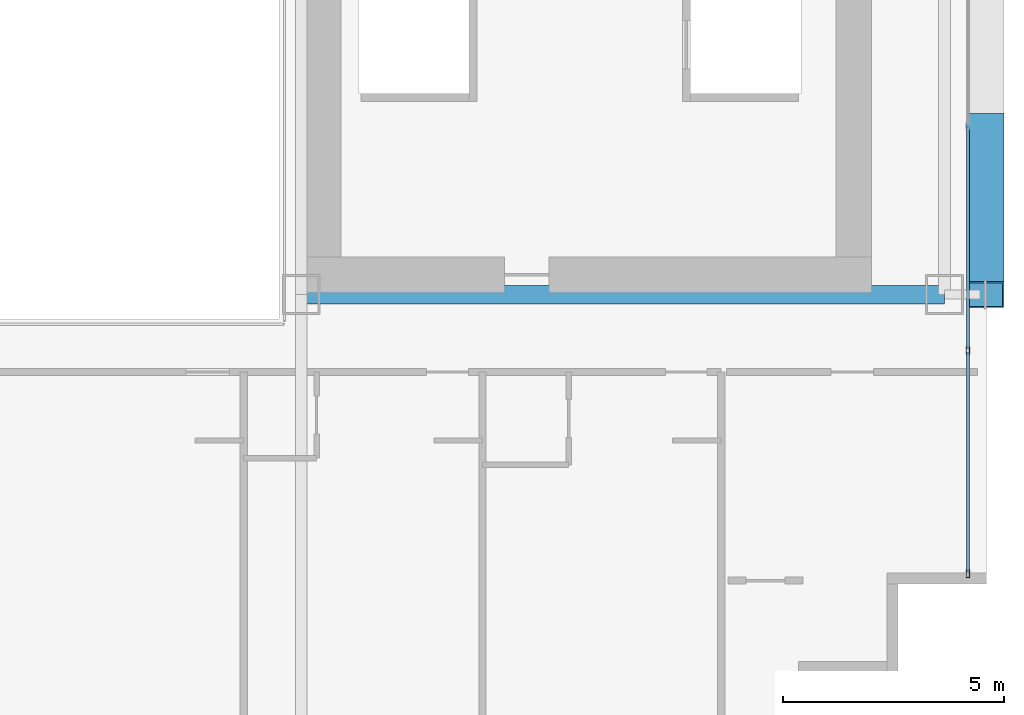
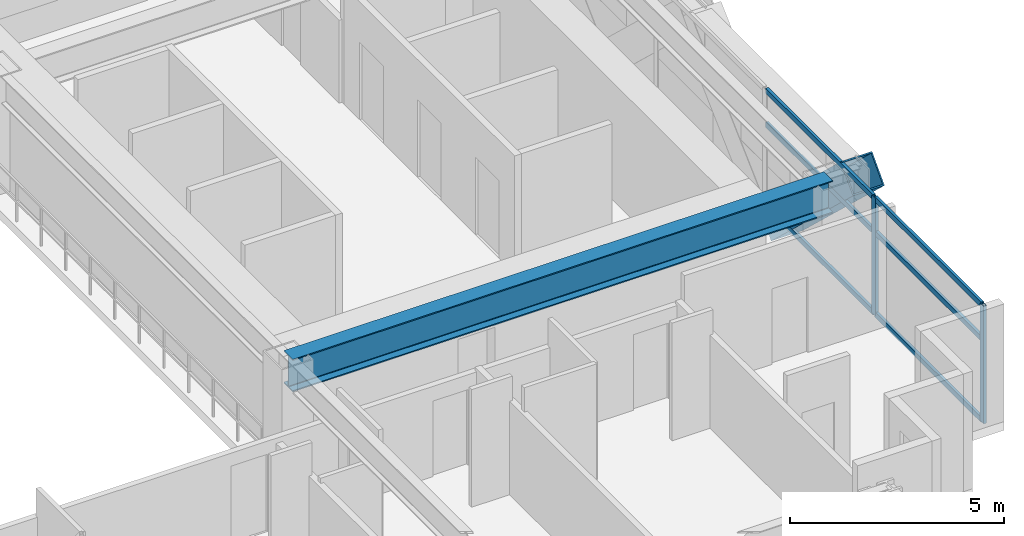
# One storey, part 11 of 38: 9 members, 1 beam, 1 element without a shape of its own.
"""IFC4 building model written with IfcOpenShell, lengths in metres."""

from ifc_helpers import new_model, si_unit, direction, frame, origin, origin_2d, place, context, subcontext, project, spatial, hollow_rectangle, i_section, extrude, source, transform, mapped, material, layer, layer_set, material_profile, profile_set, type_object, element, aggregate, save


model = new_model("IFC4")

# Units and contexts
model_context = context("Model", 3, precision=1e-05, world=origin(), true_north=direction((0.0, 1.0)))
body_context = subcontext(model_context, "Body", "Model", "MODEL_VIEW")
ifc_project = project(units=[si_unit("LENGTHUNIT", "METRE"), si_unit("AREAUNIT", "SQUARE_METRE"), si_unit("VOLUMEUNIT", "CUBIC_METRE"), si_unit("PLANEANGLEUNIT", "RADIAN"), si_unit("MASSUNIT", "GRAM", prefix="KILO")], contexts=[model_context])

# Site, building, storey
site_placement = place(None, origin())
site = spatial("IfcSite", under=ifc_project, at=site_placement, CompositionType="ELEMENT")
building_placement = place(site_placement, origin())
building = spatial("IfcBuilding", under=site, at=building_placement, Name="Ocotamira Hotel", CompositionType="ELEMENT")
storey_placement = place(building_placement, frame((0.0, 0.0, 60.0)))
storey = spatial("IfcBuildingStorey", under=building, at=storey_placement, Name="L14", CompositionType="ELEMENT", Elevation=60.0)

# Beam
ifc_material_1 = material(Name="Steel ASTM A992 Grade 50", Category="steel")
ifc_material_profile_1 = material_profile(ifc_material_1, i_section(OverallWidth=0.41796875, OverallDepth=0.927001953125, WebThickness=0.019287109375, FlangeThickness=0.031982421875, FilletRadius=0.02392578125, at=origin_2d()), Name="W36X231")
ifc_profile_set_1 = profile_set([ifc_material_profile_1], Name="Steel ASTM A992 Grade 50")
beam_type = type_object("IfcBeamType", Name="BM-GIRD-W36X231", PredefinedType="BEAM", material=ifc_profile_set_1)
shared_shape_1 = source(origin(), body_context, "Body", "SweptSolid", [
    extrude(i_section(OverallWidth=0.41796875, OverallDepth=0.927001953125, WebThickness=0.019287109375, FlangeThickness=0.031982421875, FilletRadius=0.02392578125, at=origin_2d()), origin(), (0.0, 0.0, 1.0), 14.550048828125),
])
beam_placement = place(storey_placement, frame((40.5, 14.550048828125, 2.886474609375), z_axis=(1.0, 0.0, 0.0), x_axis=(0.0, 1.0, 0.0)))
element("IfcBeam", 1, at=beam_placement, inside=storey, type_object=beam_type, Name="L14 Girder Y14.55 X40.5-55.05", PredefinedType="BEAM", context=body_context, shape_type="MappedRepresentation", body=[
    mapped(shared_shape_1, transform((0.0, 0.0, 0.0), scale=1.0)),
])

# Member
ifc_material_2 = material(Name="Pale-metal coated steel ASTM A913 Grade 65", Category="steel")
ifc_material_profile_2 = material_profile(ifc_material_2, hollow_rectangle(XDim=0.85009765625, YDim=0.85009765625, WallThickness=0.035888671875, at=origin_2d()), Name="BOX850X850X36")
ifc_profile_set_2 = profile_set([ifc_material_profile_2], Name="Pale-metal coated steel ASTM A913 Grade 65")
member_type_1 = type_object("IfcMemberType", Name="MEM-EXO-BOX850", PredefinedType="BRACE", material=ifc_profile_set_2)
shared_shape_2 = source(origin(), body_context, "Body", "SweptSolid", [
    extrude(hollow_rectangle(XDim=0.85009765625, YDim=0.85009765625, WallThickness=0.035888671875, at=origin_2d()), origin(), (0.0, 0.0, 1.0), 5.24658203125),
])
member_1_placement = place(storey_placement, frame((55.969970703125, 18.36669921875, -0.5), z_axis=(0.0, -0.727442733726, 0.686168397078), x_axis=(1.0, 0.0, 0.0)))
element("IfcMember", 2, at=member_1_placement, inside=storey, type_object=member_type_1, Name="L14 Exoskeleton Diagrid E0.1", PredefinedType="BRACE", context=body_context, shape_type="MappedRepresentation", body=[
    mapped(shared_shape_2, transform((0.0, 0.0, 0.0), scale=1.0)),
])

# Curtain wall, members
ifc_material_3 = material(Name="Anodised pale-metal aluminium and solar glass", Category="aluminium")
ifc_layer = layer(ifc_material_3, 0.179931640625)
ifc_layer_set = layer_set([ifc_layer], Name="Anodised pale-metal aluminium and solar glass")
curtain_wall_type = type_object("IfcCurtainWallType", Name="CW-SYS2-Z1", PredefinedType="NOTDEFINED", material=ifc_layer_set)
curtain_wall_placement = place(storey_placement, origin())
curtain_wall = element("IfcCurtainWall", 3, at=curtain_wall_placement, inside=storey, type_object=curtain_wall_type, Name="L14 Curtain Wall CW-2 CW-L14-E", PredefinedType="NOTDEFINED")
ifc_material_4 = material(Name="Anodised pale-metal aluminium 6063-T6", Category="aluminium")
ifc_material_profile_3 = material_profile(ifc_material_4, hollow_rectangle(XDim=0.074951171875, YDim=0.14990234375, WallThickness=0.006103515625, at=origin_2d()), Name="HSS150X75X6")
ifc_profile_set_3 = profile_set([ifc_material_profile_3], Name="Anodised pale-metal aluminium 6063-T6")
member_type_2 = type_object("IfcMemberType", Name="CWT-150X75", PredefinedType="USERDEFINED", material=ifc_profile_set_3)
shared_shape_3 = source(origin(), body_context, "Body", "SweptSolid", [
    extrude(hollow_rectangle(XDim=0.074951171875, YDim=0.14990234375, WallThickness=0.006103515625, at=origin_2d()), origin(), (0.0, 0.0, 1.0), 4.965576171875),
])
member_2_placement = place(storey_placement, frame((55.580078125, 8.280029296875, 0.03759765625), z_axis=(0.0, 1.0, 0.0), x_axis=(-1.0, 0.0, 0.0)))
member_2 = element("IfcMember", 4, at=member_2_placement, type_object=member_type_2, Name="CW-2 transom 1.1", ObjectType="TRANSOM", PredefinedType="USERDEFINED", context=body_context, shape_type="MappedRepresentation", body=[
    mapped(shared_shape_3, transform((0.0, 0.0, 0.0), scale=1.0)),
])
member_3_placement = place(storey_placement, frame((55.580078125, 8.280029296875, 2.35009765625), z_axis=(0.0, 1.0, 0.0), x_axis=(-1.0, 0.0, 0.0)))
member_3 = element("IfcMember", 5, at=member_3_placement, type_object=member_type_2, Name="CW-2 transom 1.2", ObjectType="TRANSOM", PredefinedType="USERDEFINED", context=body_context, shape_type="MappedRepresentation", body=[
    mapped(shared_shape_3, transform((0.0, 0.0, 0.0), scale=1.0)),
])
member_4_placement = place(storey_placement, frame((55.580078125, 8.280029296875, 3.3125), z_axis=(0.0, 1.0, 0.0), x_axis=(-1.0, 0.0, 0.0)))
member_4 = element("IfcMember", 6, at=member_4_placement, type_object=member_type_2, Name="CW-2 transom 1.3", ObjectType="TRANSOM", PredefinedType="USERDEFINED", context=body_context, shape_type="MappedRepresentation", body=[
    mapped(shared_shape_3, transform((0.0, 0.0, 0.0), scale=1.0)),
])
shared_shape_4 = source(origin(), body_context, "Body", "SweptSolid", [
    extrude(hollow_rectangle(XDim=0.074951171875, YDim=0.14990234375, WallThickness=0.006103515625, at=origin_2d()), origin(), (0.0, 0.0, 1.0), 5.005859375),
])
member_5_placement = place(storey_placement, frame((55.580078125, 13.32568359375, 0.03759765625), z_axis=(0.0, 1.0, 0.0), x_axis=(-1.0, 0.0, 0.0)))
member_5 = element("IfcMember", 7, at=member_5_placement, type_object=member_type_2, Name="CW-2 transom 2.1", ObjectType="TRANSOM", PredefinedType="USERDEFINED", context=body_context, shape_type="MappedRepresentation", body=[
    mapped(shared_shape_4, transform((0.0, 0.0, 0.0), scale=1.0)),
])
member_6_placement = place(storey_placement, frame((55.580078125, 13.32568359375, 2.35009765625), z_axis=(0.0, 1.0, 0.0), x_axis=(-1.0, 0.0, 0.0)))
member_6 = element("IfcMember", 8, at=member_6_placement, type_object=member_type_2, Name="CW-2 transom 2.2", ObjectType="TRANSOM", PredefinedType="USERDEFINED", context=body_context, shape_type="MappedRepresentation", body=[
    mapped(shared_shape_4, transform((0.0, 0.0, 0.0), scale=1.0)),
])
member_7_placement = place(storey_placement, frame((55.580078125, 13.32568359375, 3.3125), z_axis=(0.0, 1.0, 0.0), x_axis=(-1.0, 0.0, 0.0)))
member_7 = element("IfcMember", 9, at=member_7_placement, type_object=member_type_2, Name="CW-2 transom 2.3", ObjectType="TRANSOM", PredefinedType="USERDEFINED", context=body_context, shape_type="MappedRepresentation", body=[
    mapped(shared_shape_4, transform((0.0, 0.0, 0.0), scale=1.0)),
])
ifc_material_profile_4 = material_profile(ifc_material_4, hollow_rectangle(XDim=0.080078125, YDim=0.179931640625, WallThickness=0.006103515625, at=origin_2d()), Name="HSS180X80X6")
ifc_profile_set_4 = profile_set([ifc_material_profile_4], Name="Anodised pale-metal aluminium 6063-T6")
member_type_3 = type_object("IfcMemberType", Name="CWM-180X75", PredefinedType="MULLION", material=ifc_profile_set_4)
shared_shape_5 = source(origin(), body_context, "Body", "SweptSolid", [
    extrude(hollow_rectangle(XDim=0.080078125, YDim=0.179931640625, WallThickness=0.006103515625, at=origin_2d()), origin(), (0.0, 0.0, 1.0), 3.35009765625),
])
member_8_placement = place(storey_placement, frame((55.580078125, 8.239990234375, 0.0), z_axis=(0.0, 0.0, 1.0), x_axis=(-1.0, 0.0, 0.0)))
member_8 = element("IfcMember", 10, at=member_8_placement, type_object=member_type_3, Name="CW-2 mullion 1", PredefinedType="MULLION", context=body_context, shape_type="MappedRepresentation", body=[
    mapped(shared_shape_5, transform((0.0, 0.0, 0.0), scale=1.0)),
])
member_9_placement = place(storey_placement, frame((55.580078125, 13.28564453125, 0.0), z_axis=(0.0, 0.0, 1.0), x_axis=(-1.0, 0.0, 0.0)))
member_9 = element("IfcMember", 11, at=member_9_placement, type_object=member_type_3, Name="CW-2 mullion 2", PredefinedType="MULLION", context=body_context, shape_type="MappedRepresentation", body=[
    mapped(shared_shape_5, transform((0.0, 0.0, 0.0), scale=1.0)),
])
aggregate(curtain_wall, [member_8, member_9, member_2, member_3, member_4, member_5, member_6, member_7])

save(model, "model.ifc")
